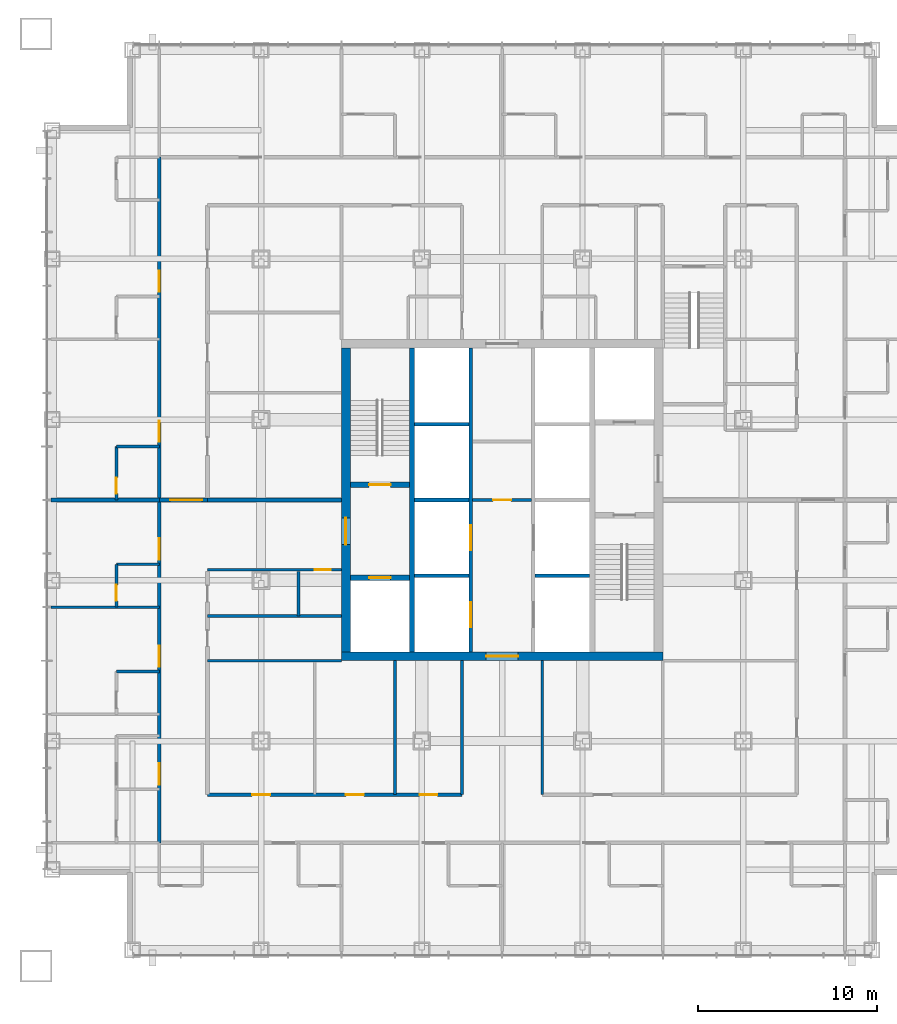
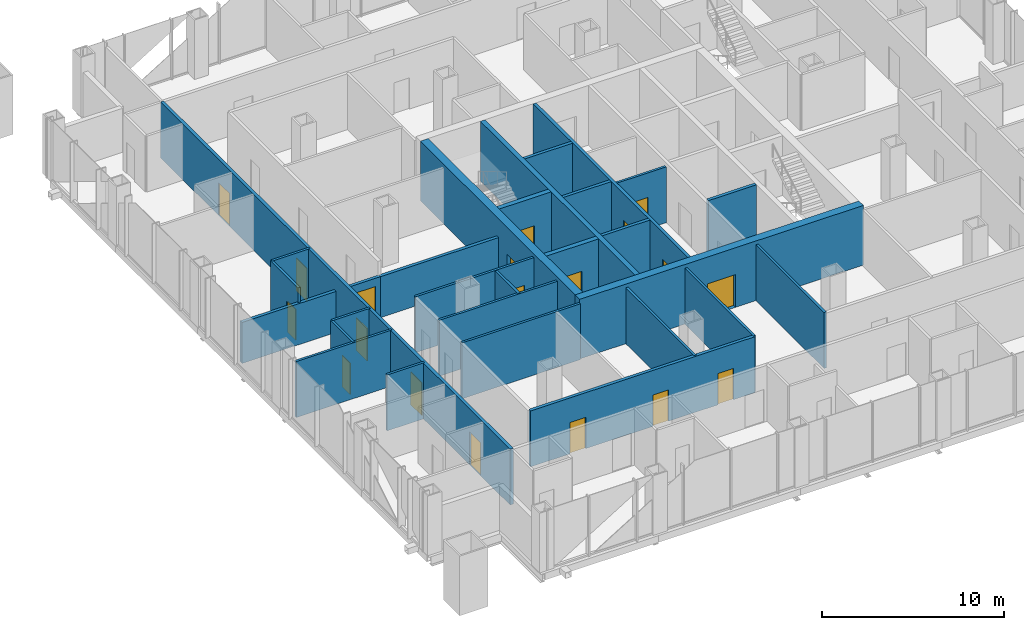
# One storey, part 8 of 13: 29 walls, 19 doors, 19 openings.
"""IFC4 building model written with IfcOpenShell, lengths in metres."""

from ifc_helpers import new_model, si_unit, direction, frame, frame_2d, origin, place, context, subcontext, project, spatial, rectangle, extrude, material, layer, layer_set, type_object, element, fill, save


model = new_model("IFC4")

# Units and contexts
model_context = context("Model", 3, precision=1e-05, world=origin(), true_north=direction((0.0, 1.0)))
body_context = subcontext(model_context, "Body", "Model", "MODEL_VIEW")
ifc_project = project(units=[si_unit("LENGTHUNIT", "METRE"), si_unit("AREAUNIT", "SQUARE_METRE"), si_unit("VOLUMEUNIT", "CUBIC_METRE"), si_unit("PLANEANGLEUNIT", "RADIAN"), si_unit("MASSUNIT", "GRAM", prefix="KILO")], contexts=[model_context])

# Site, building, storey
site_placement = place(None, origin())
site = spatial("IfcSite", under=ifc_project, at=site_placement, CompositionType="ELEMENT")
building_placement = place(site_placement, origin())
building = spatial("IfcBuilding", under=site, at=building_placement, Name="Malebo Sky Hospital", CompositionType="ELEMENT")
storey_placement = place(building_placement, frame((0.0, 0.0, 67.0)))
storey = spatial("IfcBuildingStorey", under=building, at=storey_placement, Name="L15", CompositionType="ELEMENT", Elevation=67.0)

# Wall, openings, doors
ifc_material_1 = material(Name="Concrete C80/95", Category="concrete")
ifc_layer_1 = layer(ifc_material_1, 0.199951171875)
ifc_layer_set_1 = layer_set([ifc_layer_1], Name="CORE INNER WALL 200")
wall_type_1 = type_object("IfcWallType", Name="CORE INNER WALL 200", PredefinedType="SHEAR", material=ifc_layer_set_1)
wall_1_placement = place(storey_placement, frame((58.25, 53.5, 0.0), z_axis=(0.0, 0.0, 1.0), x_axis=(0.0, 1.0, 0.0)))
wall_1 = element("IfcWall", 1, at=wall_1_placement, inside=storey, type_object=wall_type_1, Name="Core wall LW L15", PredefinedType="SHEAR", context=body_context, shape_type="SweptSolid", body=[
    extrude(rectangle(XDim=17.0, YDim=0.199951171875, at=frame_2d((8.5, 0.0))), origin(), (0.0, 0.0, 1.0), 4.0),
])
opening_1_placement = place(wall_1_placement, frame((1.375, 0.0, 0.0)))
opening_1 = element("IfcOpeningElement", 2, at=opening_1_placement, cuts=wall_1, Name="Opening LD1", PredefinedType="OPENING", context=body_context, shape_type="SweptSolid", body=[
    extrude(rectangle(XDim=1.39990234375, YDim=2.199951171875, at=frame_2d((0.699951171875, 1.10009765625))), frame((0.0, 0.10986328125, 0.0), z_axis=(0.0, -1.0, 0.0), x_axis=(1.0, 0.0, 0.0)), (0.0, 0.0, 1.0), 0.219970703125),
])
opening_2_placement = place(wall_1_placement, frame((5.675048828125, 0.0, 0.0)))
opening_2 = element("IfcOpeningElement", 3, at=opening_2_placement, cuts=wall_1, Name="Opening LD1", PredefinedType="OPENING", context=body_context, shape_type="SweptSolid", body=[
    extrude(rectangle(XDim=1.39990234375, YDim=2.199951171875, at=frame_2d((0.699951171875, 1.10009765625))), frame((0.0, 0.10986328125, 0.0), z_axis=(0.0, -1.0, 0.0), x_axis=(1.0, 0.0, 0.0)), (0.0, 0.0, 1.0), 0.219970703125),
])
ifc_material_2 = material(Name="Stainless steel sliding landing door", Category="steel")
door_type_1 = type_object("IfcDoorType", Name="LIFT LANDING DOOR 1400", OperationType="SLIDING_TO_LEFT", PredefinedType="DOOR", material=ifc_material_2)
door_1_placement = place(opening_1_placement, origin())
door_1 = element("IfcDoor", 4, at=door_1_placement, inside=storey, type_object=door_type_1, Name="Lift W1 landing door", OperationType="SLIDING_TO_LEFT", OverallHeight=2.199951171875, OverallWidth=1.39990234375, PredefinedType="DOOR", context=body_context, shape_type="SweptSolid", body=[
    extrude(rectangle(XDim=1.39990234375, YDim=2.199951171875, at=frame_2d((0.699951171875, 1.10009765625))), frame((0.0, 0.02490234375, 0.0), z_axis=(0.0, -1.0, 0.0), x_axis=(1.0, 0.0, 0.0)), (0.0, 0.0, 1.0), 0.050048828125),
])
fill(opening_1, door_1)
door_2_placement = place(opening_2_placement, origin())
door_2 = element("IfcDoor", 5, at=door_2_placement, inside=storey, type_object=door_type_1, Name="Lift W2 landing door", OperationType="SLIDING_TO_LEFT", OverallHeight=2.199951171875, OverallWidth=1.39990234375, PredefinedType="DOOR", context=body_context, shape_type="SweptSolid", body=[
    extrude(rectangle(XDim=1.39990234375, YDim=2.199951171875, at=frame_2d((0.699951171875, 1.10009765625))), frame((0.0, 0.02490234375, 0.0), z_axis=(0.0, -1.0, 0.0), x_axis=(1.0, 0.0, 0.0)), (0.0, 0.0, 1.0), 0.050048828125),
])
fill(opening_2, door_2)

# Walls
for number, where, z_axis, x_axis, name in (
    (6, (55.10009765625, 57.75, 0.0), (0.0, 0.0, 1.0), (1.0, 0.0, 0.0), "Core wall SW0 L15"),
    (7, (61.85009765625, 57.75, 0.0), (0.0, 0.0, 1.0), (1.0, 0.0, 0.0), "Core wall SE0 L15"),
    (8, (55.10009765625, 62.0, 0.0), (0.0, 0.0, 1.0), (1.0, 0.0, 0.0), "Core wall SW1 L15"),
    (9, (55.10009765625, 66.25, 0.0), (0.0, 0.0, 1.0), (1.0, 0.0, 0.0), "Core wall SW2 L15"),
):
    element("IfcWall", number, at=place(storey_placement, frame(where, z_axis=z_axis, x_axis=x_axis)), inside=storey, type_object=wall_type_1, Name=name, PredefinedType="SHEAR", context=body_context, shape_type="SweptSolid", body=[
        extrude(rectangle(XDim=3.0498046875, YDim=0.199951171875, at=frame_2d((1.52490234375, 0.0))), origin(), (0.0, 0.0, 1.0), 4.0),
    ])
ifc_layer_2 = layer(ifc_material_1, 0.300048828125)
ifc_layer_set_2 = layer_set([ifc_layer_2], Name="CORE INNER WALL 300")
wall_type_2 = type_object("IfcWallType", Name="CORE INNER WALL 300", PredefinedType="SHEAR", material=ifc_layer_set_2)
wall_2_placement = place(storey_placement, frame((54.949951171875, 53.5, 0.0), z_axis=(0.0, 0.0, 1.0), x_axis=(0.0, 1.0, 0.0)))
element("IfcWall", 10, at=wall_2_placement, inside=storey, type_object=wall_type_2, Name="Core wall XW L15", PredefinedType="SHEAR", context=body_context, shape_type="SweptSolid", body=[
    extrude(rectangle(XDim=17.0, YDim=0.300048828125, at=frame_2d((8.5, 0.0))), origin(), (0.0, 0.0, 1.0), 4.0),
])

# Wall, opening, door
wall_3_placement = place(storey_placement, frame((51.5, 62.85009765625, 0.0), z_axis=(0.0, 0.0, 1.0), x_axis=(1.0, 0.0, 0.0)))
wall_3 = element("IfcWall", 11, at=wall_3_placement, inside=storey, type_object=wall_type_2, Name="Core wall W1 L15", PredefinedType="SHEAR", context=body_context, shape_type="SweptSolid", body=[
    extrude(rectangle(XDim=3.300048828125, YDim=0.300048828125, at=frame_2d((1.64990234375, 0.0))), origin(), (0.0, 0.0, 1.0), 4.0),
])
opening_3_placement = place(wall_3_placement, frame((1.050048828125, 0.0, 0.0)))
opening_3 = element("IfcOpeningElement", 12, at=opening_3_placement, cuts=wall_3, Name="Opening D08", PredefinedType="OPENING", context=body_context, shape_type="SweptSolid", body=[
    extrude(rectangle(XDim=1.199951171875, YDim=2.10009765625, at=frame_2d((0.60009765625, 1.050048828125))), frame((0.0, 0.159912109375, 0.0), z_axis=(0.0, -1.0, 0.0), x_axis=(1.0, 0.0, 0.0)), (0.0, 0.0, 1.0), 0.320068359375),
])
ifc_material_3 = material(Name="Hardwood-faced door leaf in steel frame", Category="steel")
door_type_2 = type_object("IfcDoorType", Name="STAIR DOOR 1200", OperationType="SINGLE_SWING_LEFT", PredefinedType="DOOR", material=ifc_material_3)
door_3_placement = place(opening_3_placement, origin())
door_3 = element("IfcDoor", 13, at=door_3_placement, inside=storey, type_object=door_type_2, Name="Stair S1 door", OperationType="SINGLE_SWING_LEFT", OverallHeight=2.10009765625, OverallWidth=1.199951171875, PredefinedType="DOOR", context=body_context, shape_type="SweptSolid", body=[
    extrude(rectangle(XDim=1.199951171875, YDim=2.10009765625, at=frame_2d((0.60009765625, 1.050048828125))), frame((0.0, 0.02490234375, 0.0), z_axis=(0.0, -1.0, 0.0), x_axis=(1.0, 0.0, 0.0)), (0.0, 0.0, 1.0), 0.050048828125),
])
fill(opening_3, door_3)

wall_4_placement = place(storey_placement, frame((51.5, 57.64990234375, 0.0), z_axis=(0.0, 0.0, 1.0), x_axis=(1.0, 0.0, 0.0)))
wall_4 = element("IfcWall", 14, at=wall_4_placement, inside=storey, type_object=wall_type_2, Name="Core wall W2 L15", PredefinedType="SHEAR", context=body_context, shape_type="SweptSolid", body=[
    extrude(rectangle(XDim=3.300048828125, YDim=0.300048828125, at=frame_2d((1.64990234375, 0.0))), origin(), (0.0, 0.0, 1.0), 4.0),
])
opening_4_placement = place(wall_4_placement, frame((1.050048828125, 0.0, 0.0)))
opening_4 = element("IfcOpeningElement", 15, at=opening_4_placement, cuts=wall_4, Name="Opening LD2", PredefinedType="OPENING", context=body_context, shape_type="SweptSolid", body=[
    extrude(rectangle(XDim=1.199951171875, YDim=2.199951171875, at=frame_2d((0.60009765625, 1.10009765625))), frame((0.0, 0.159912109375, 0.0), z_axis=(0.0, -1.0, 0.0), x_axis=(1.0, 0.0, 0.0)), (0.0, 0.0, 1.0), 0.320068359375),
])
door_type_3 = type_object("IfcDoorType", Name="FIRE-FIGHTING LIFT LANDING DOOR 1200", OperationType="SLIDING_TO_LEFT", PredefinedType="DOOR", material=ifc_material_2)
door_4_placement = place(opening_4_placement, origin())
door_4 = element("IfcDoor", 16, at=door_4_placement, inside=storey, type_object=door_type_3, Name="Lift FL1 landing door", OperationType="SLIDING_TO_LEFT", OverallHeight=2.199951171875, OverallWidth=1.199951171875, PredefinedType="DOOR", context=body_context, shape_type="SweptSolid", body=[
    extrude(rectangle(XDim=1.199951171875, YDim=2.199951171875, at=frame_2d((0.60009765625, 1.10009765625))), frame((0.0, 0.02490234375, 0.0), z_axis=(0.0, -1.0, 0.0), x_axis=(1.0, 0.0, 0.0)), (0.0, 0.0, 1.0), 0.050048828125),
])
fill(opening_4, door_4)

ifc_layer_3 = layer(ifc_material_1, 0.5)
ifc_layer_set_3 = layer_set([ifc_layer_3], Name="CORE WALL 500")
wall_type_3 = type_object("IfcWallType", Name="CORE WALL 500", PredefinedType="SHEAR", material=ifc_layer_set_3)
wall_5_placement = place(storey_placement, frame((51.0, 53.25, 0.0), z_axis=(0.0, 0.0, 1.0), x_axis=(1.0, 0.0, 0.0)))
wall_5 = element("IfcWall", 17, at=wall_5_placement, inside=storey, type_object=wall_type_3, Name="Core wall S L15", PredefinedType="SHEAR", context=body_context, shape_type="SweptSolid", body=[
    extrude(rectangle(XDim=18.0, YDim=0.5, at=frame_2d((9.0, 0.0))), origin(), (0.0, 0.0, 1.0), 4.0),
])
opening_5_placement = place(wall_5_placement, frame((8.10009765625, 0.0, 0.0)))
opening_5 = element("IfcOpeningElement", 18, at=opening_5_placement, cuts=wall_5, Name="Opening D06", PredefinedType="OPENING", context=body_context, shape_type="SweptSolid", body=[
    extrude(rectangle(XDim=1.800048828125, YDim=2.199951171875, at=frame_2d((0.89990234375, 1.10009765625))), frame((0.0, 0.260009765625, 0.0), z_axis=(0.0, -1.0, 0.0), x_axis=(1.0, 0.0, 0.0)), (0.0, 0.0, 1.0), 0.52001953125),
])
door_type_4 = type_object("IfcDoorType", Name="LOBBY DOOR PAIR 1800", OperationType="DOUBLE_DOOR_SINGLE_SWING", PredefinedType="DOOR", material=ifc_material_3)
door_5_placement = place(opening_5_placement, origin())
door_5 = element("IfcDoor", 19, at=door_5_placement, inside=storey, type_object=door_type_4, Name="Lift lobby door south", OperationType="DOUBLE_DOOR_SINGLE_SWING", OverallHeight=2.199951171875, OverallWidth=1.800048828125, PredefinedType="DOOR", context=body_context, shape_type="SweptSolid", body=[
    extrude(rectangle(XDim=1.800048828125, YDim=2.199951171875, at=frame_2d((0.89990234375, 1.10009765625))), frame((0.0, 0.02490234375, 0.0), z_axis=(0.0, -1.0, 0.0), x_axis=(1.0, 0.0, 0.0)), (0.0, 0.0, 1.0), 0.050048828125),
])
fill(opening_5, door_5)

wall_6_placement = place(storey_placement, frame((51.25, 53.5, 0.0), z_axis=(0.0, 0.0, 1.0), x_axis=(0.0, 1.0, 0.0)))
wall_6 = element("IfcWall", 20, at=wall_6_placement, inside=storey, type_object=wall_type_3, Name="Core wall W L15", PredefinedType="SHEAR", context=body_context, shape_type="SweptSolid", body=[
    extrude(rectangle(XDim=17.0, YDim=0.5, at=frame_2d((8.5, 0.0))), origin(), (0.0, 0.0, 1.0), 4.0),
])
opening_6_placement = place(wall_6_placement, frame((6.0, 0.0, 0.0)))
opening_6 = element("IfcOpeningElement", 21, at=opening_6_placement, cuts=wall_6, Name="Opening D07", PredefinedType="OPENING", context=body_context, shape_type="SweptSolid", body=[
    extrude(rectangle(XDim=1.5, YDim=2.199951171875, at=frame_2d((0.75, 1.10009765625))), frame((0.0, 0.260009765625, 0.0), z_axis=(0.0, -1.0, 0.0), x_axis=(1.0, 0.0, 0.0)), (0.0, 0.0, 1.0), 0.52001953125),
])
door_type_5 = type_object("IfcDoorType", Name="FIRE-FIGHTING LOBBY DOOR PAIR 1500", OperationType="DOUBLE_DOOR_SINGLE_SWING", PredefinedType="DOOR", material=ifc_material_3)
door_6_placement = place(opening_6_placement, origin())
door_6 = element("IfcDoor", 22, at=door_6_placement, inside=storey, type_object=door_type_5, Name="Fire-fighting lobby door west", OperationType="DOUBLE_DOOR_SINGLE_SWING", OverallHeight=2.199951171875, OverallWidth=1.5, PredefinedType="DOOR", context=body_context, shape_type="SweptSolid", body=[
    extrude(rectangle(XDim=1.5, YDim=2.199951171875, at=frame_2d((0.75, 1.10009765625))), frame((0.0, 0.02490234375, 0.0), z_axis=(0.0, -1.0, 0.0), x_axis=(1.0, 0.0, 0.0)), (0.0, 0.0, 1.0), 0.050048828125),
])
fill(opening_6, door_6)

# Wall, openings, doors
ifc_material_4 = material(Name="Gypsum board on steel studs", Category="steel")
ifc_layer_4 = layer(ifc_material_4, 0.199951171875)
ifc_layer_set_4 = layer_set([ifc_layer_4], Name="CORRIDOR WALL 200")
wall_type_4 = type_object("IfcWallType", Name="CORRIDOR WALL 200", PredefinedType="PARTITIONING", material=ifc_layer_set_4)
wall_7_placement = place(storey_placement, frame((40.800048828125, 42.800048828125, 0.0), z_axis=(0.0, 0.0, 1.0), x_axis=(0.0, 1.0, 0.0)))
wall_7 = element("IfcWall", 23, at=wall_7_placement, inside=storey, type_object=wall_type_4, Name="Corridor Wall 200 WCO", PredefinedType="PARTITIONING", context=body_context, shape_type="SweptSolid", body=[
    extrude(rectangle(XDim=38.39990234375, YDim=0.199951171875, at=frame_2d((19.199951171875, 0.0))), origin(), (0.0, 0.0, 1.0), 3.75),
])
opening_7_placement = place(wall_7_placement, frame((3.25, 0.0, 0.0)))
opening_7 = element("IfcOpeningElement", 24, at=opening_7_placement, cuts=wall_7, Name="Opening D18", PredefinedType="OPENING", context=body_context, shape_type="SweptSolid", body=[
    extrude(rectangle(XDim=1.199951171875, YDim=2.199951171875, at=frame_2d((0.60009765625, 1.10009765625))), frame((0.0, 0.10986328125, 0.0), z_axis=(0.0, -1.0, 0.0), x_axis=(1.0, 0.0, 0.0)), (0.0, 0.0, 1.0), 0.219970703125),
])
opening_8_placement = place(wall_7_placement, frame((9.85009765625, 0.0, 0.0)))
opening_8 = element("IfcOpeningElement", 25, at=opening_8_placement, cuts=wall_7, Name="Opening D01", PredefinedType="OPENING", context=body_context, shape_type="SweptSolid", body=[
    extrude(rectangle(XDim=1.199951171875, YDim=2.199951171875, at=frame_2d((0.60009765625, 1.10009765625))), frame((0.0, 0.10986328125, 0.0), z_axis=(0.0, -1.0, 0.0), x_axis=(1.0, 0.0, 0.0)), (0.0, 0.0, 1.0), 0.219970703125),
])
opening_9_placement = place(wall_7_placement, frame((15.85009765625, 0.0, 0.0)))
opening_9 = element("IfcOpeningElement", 26, at=opening_9_placement, cuts=wall_7, Name="Opening D01", PredefinedType="OPENING", context=body_context, shape_type="SweptSolid", body=[
    extrude(rectangle(XDim=1.199951171875, YDim=2.199951171875, at=frame_2d((0.60009765625, 1.10009765625))), frame((0.0, 0.10986328125, 0.0), z_axis=(0.0, -1.0, 0.0), x_axis=(1.0, 0.0, 0.0)), (0.0, 0.0, 1.0), 0.219970703125),
])
opening_10_placement = place(wall_7_placement, frame((22.449951171875, 0.0, 0.0)))
opening_10 = element("IfcOpeningElement", 27, at=opening_10_placement, cuts=wall_7, Name="Opening D01", PredefinedType="OPENING", context=body_context, shape_type="SweptSolid", body=[
    extrude(rectangle(XDim=1.199951171875, YDim=2.199951171875, at=frame_2d((0.60009765625, 1.10009765625))), frame((0.0, 0.10986328125, 0.0), z_axis=(0.0, -1.0, 0.0), x_axis=(1.0, 0.0, 0.0)), (0.0, 0.0, 1.0), 0.219970703125),
])
opening_11_placement = place(wall_7_placement, frame((30.85009765625, 0.0, 0.0)))
opening_11 = element("IfcOpeningElement", 28, at=opening_11_placement, cuts=wall_7, Name="Opening D01", PredefinedType="OPENING", context=body_context, shape_type="SweptSolid", body=[
    extrude(rectangle(XDim=1.199951171875, YDim=2.199951171875, at=frame_2d((0.60009765625, 1.10009765625))), frame((0.0, 0.10986328125, 0.0), z_axis=(0.0, -1.0, 0.0), x_axis=(1.0, 0.0, 0.0)), (0.0, 0.0, 1.0), 0.219970703125),
])
door_type_6 = type_object("IfcDoorType", Name="ANTEROOM DOOR 1200", OperationType="SINGLE_SWING_LEFT", PredefinedType="DOOR", material=ifc_material_3)
door_7_placement = place(opening_7_placement, origin())
door_7 = element("IfcDoor", 29, at=door_7_placement, inside=storey, type_object=door_type_6, Name="Anteroom door", OperationType="SINGLE_SWING_LEFT", OverallHeight=2.199951171875, OverallWidth=1.199951171875, PredefinedType="DOOR", context=body_context, shape_type="SweptSolid", body=[
    extrude(rectangle(XDim=1.199951171875, YDim=2.199951171875, at=frame_2d((0.60009765625, 1.10009765625))), frame((0.0, 0.02490234375, 0.0), z_axis=(0.0, -1.0, 0.0), x_axis=(1.0, 0.0, 0.0)), (0.0, 0.0, 1.0), 0.050048828125),
])
fill(opening_7, door_7)
door_type_7 = type_object("IfcDoorType", Name="BED DOOR 1200", OperationType="SINGLE_SWING_LEFT", PredefinedType="DOOR", material=ifc_material_3)
door_8_placement = place(opening_8_placement, origin())
door_8 = element("IfcDoor", 30, at=door_8_placement, inside=storey, type_object=door_type_7, Name="Single bed room door", OperationType="SINGLE_SWING_LEFT", OverallHeight=2.199951171875, OverallWidth=1.199951171875, PredefinedType="DOOR", context=body_context, shape_type="SweptSolid", body=[
    extrude(rectangle(XDim=1.199951171875, YDim=2.199951171875, at=frame_2d((0.60009765625, 1.10009765625))), frame((0.0, 0.02490234375, 0.0), z_axis=(0.0, -1.0, 0.0), x_axis=(1.0, 0.0, 0.0)), (0.0, 0.0, 1.0), 0.050048828125),
])
fill(opening_8, door_8)
door_9_placement = place(opening_9_placement, origin())
door_9 = element("IfcDoor", 31, at=door_9_placement, inside=storey, type_object=door_type_7, Name="Single bed room door", OperationType="SINGLE_SWING_LEFT", OverallHeight=2.199951171875, OverallWidth=1.199951171875, PredefinedType="DOOR", context=body_context, shape_type="SweptSolid", body=[
    extrude(rectangle(XDim=1.199951171875, YDim=2.199951171875, at=frame_2d((0.60009765625, 1.10009765625))), frame((0.0, 0.02490234375, 0.0), z_axis=(0.0, -1.0, 0.0), x_axis=(1.0, 0.0, 0.0)), (0.0, 0.0, 1.0), 0.050048828125),
])
fill(opening_9, door_9)
door_10_placement = place(opening_10_placement, origin())
door_10 = element("IfcDoor", 32, at=door_10_placement, inside=storey, type_object=door_type_7, Name="Two-bed room door", OperationType="SINGLE_SWING_LEFT", OverallHeight=2.199951171875, OverallWidth=1.199951171875, PredefinedType="DOOR", context=body_context, shape_type="SweptSolid", body=[
    extrude(rectangle(XDim=1.199951171875, YDim=2.199951171875, at=frame_2d((0.60009765625, 1.10009765625))), frame((0.0, 0.02490234375, 0.0), z_axis=(0.0, -1.0, 0.0), x_axis=(1.0, 0.0, 0.0)), (0.0, 0.0, 1.0), 0.050048828125),
])
fill(opening_10, door_10)
door_11_placement = place(opening_11_placement, origin())
door_11 = element("IfcDoor", 33, at=door_11_placement, inside=storey, type_object=door_type_7, Name="Four-bed bay door", OperationType="SINGLE_SWING_LEFT", OverallHeight=2.199951171875, OverallWidth=1.199951171875, PredefinedType="DOOR", context=body_context, shape_type="SweptSolid", body=[
    extrude(rectangle(XDim=1.199951171875, YDim=2.199951171875, at=frame_2d((0.60009765625, 1.10009765625))), frame((0.0, 0.02490234375, 0.0), z_axis=(0.0, -1.0, 0.0), x_axis=(1.0, 0.0, 0.0)), (0.0, 0.0, 1.0), 0.050048828125),
])
fill(opening_11, door_11)

wall_8_placement = place(storey_placement, frame((57.75, 45.5, 0.0), z_axis=(0.0, 0.0, 1.0), x_axis=(-1.0, 0.0, 0.0)))
wall_8 = element("IfcWall", 34, at=wall_8_placement, inside=storey, type_object=wall_type_4, Name="Corridor Wall 200 SCI2", PredefinedType="PARTITIONING", context=body_context, shape_type="SweptSolid", body=[
    extrude(rectangle(XDim=14.25, YDim=0.199951171875, at=frame_2d((7.125, 0.0))), origin(), (0.0, 0.0, 1.0), 3.75),
])
opening_12_placement = place(wall_8_placement, frame((1.375, 0.0, 0.0)))
opening_12 = element("IfcOpeningElement", 35, at=opening_12_placement, cuts=wall_8, Name="Opening D03", PredefinedType="OPENING", context=body_context, shape_type="SweptSolid", body=[
    extrude(rectangle(XDim=1.0, YDim=2.10009765625, at=frame_2d((0.5, 1.050048828125))), frame((0.0, 0.10986328125, 0.0), z_axis=(0.0, -1.0, 0.0), x_axis=(1.0, 0.0, 0.0)), (0.0, 0.0, 1.0), 0.219970703125),
])
opening_13_placement = place(wall_8_placement, frame((5.5, 0.0, 0.0)))
opening_13 = element("IfcOpeningElement", 36, at=opening_13_placement, cuts=wall_8, Name="Opening D03", PredefinedType="OPENING", context=body_context, shape_type="SweptSolid", body=[
    extrude(rectangle(XDim=1.0, YDim=2.10009765625, at=frame_2d((0.5, 1.050048828125))), frame((0.0, 0.10986328125, 0.0), z_axis=(0.0, -1.0, 0.0), x_axis=(1.0, 0.0, 0.0)), (0.0, 0.0, 1.0), 0.219970703125),
])
opening_14_placement = place(wall_8_placement, frame((10.75, 0.0, 0.0)))
opening_14 = element("IfcOpeningElement", 37, at=opening_14_placement, cuts=wall_8, Name="Opening D03", PredefinedType="OPENING", context=body_context, shape_type="SweptSolid", body=[
    extrude(rectangle(XDim=1.0, YDim=2.10009765625, at=frame_2d((0.5, 1.050048828125))), frame((0.0, 0.10986328125, 0.0), z_axis=(0.0, -1.0, 0.0), x_axis=(1.0, 0.0, 0.0)), (0.0, 0.0, 1.0), 0.219970703125),
])
door_type_8 = type_object("IfcDoorType", Name="ROOM DOOR 1000", OperationType="SINGLE_SWING_LEFT", PredefinedType="DOOR", material=ifc_material_3)
door_12_placement = place(opening_12_placement, origin())
door_12 = element("IfcDoor", 38, at=door_12_placement, inside=storey, type_object=door_type_8, Name="Dirty utility room door", OperationType="SINGLE_SWING_LEFT", OverallHeight=2.10009765625, OverallWidth=1.0, PredefinedType="DOOR", context=body_context, shape_type="SweptSolid", body=[
    extrude(rectangle(XDim=1.0, YDim=2.10009765625, at=frame_2d((0.5, 1.050048828125))), frame((0.0, 0.02490234375, 0.0), z_axis=(0.0, -1.0, 0.0), x_axis=(1.0, 0.0, 0.0)), (0.0, 0.0, 1.0), 0.050048828125),
])
fill(opening_12, door_12)
door_13_placement = place(opening_13_placement, origin())
door_13 = element("IfcDoor", 39, at=door_13_placement, inside=storey, type_object=door_type_8, Name="Traction equipment store door", OperationType="SINGLE_SWING_LEFT", OverallHeight=2.10009765625, OverallWidth=1.0, PredefinedType="DOOR", context=body_context, shape_type="SweptSolid", body=[
    extrude(rectangle(XDim=1.0, YDim=2.10009765625, at=frame_2d((0.5, 1.050048828125))), frame((0.0, 0.02490234375, 0.0), z_axis=(0.0, -1.0, 0.0), x_axis=(1.0, 0.0, 0.0)), (0.0, 0.0, 1.0), 0.050048828125),
])
fill(opening_13, door_13)
door_14_placement = place(opening_14_placement, origin())
door_14 = element("IfcDoor", 40, at=door_14_placement, inside=storey, type_object=door_type_8, Name="Staff base door", OperationType="SINGLE_SWING_RIGHT", OverallHeight=2.10009765625, OverallWidth=1.0, PredefinedType="DOOR", context=body_context, shape_type="SweptSolid", body=[
    extrude(rectangle(XDim=1.0, YDim=2.10009765625, at=frame_2d((0.5, 1.050048828125))), frame((0.0, 0.02490234375, 0.0), z_axis=(0.0, -1.0, 0.0), x_axis=(1.0, 0.0, 0.0)), (0.0, 0.0, 1.0), 0.050048828125),
])
fill(opening_14, door_14)

# Walls
ifc_layer_5 = layer(ifc_material_4, 0.14990234375)
ifc_layer_set_5 = layer_set([ifc_layer_5], Name="PARTITION 150")
wall_type_5 = type_object("IfcWallType", Name="PARTITION 150", PredefinedType="PARTITIONING", material=ifc_layer_set_5)
wall_9_placement = place(storey_placement, frame((40.800048828125, 56.0, 0.0), z_axis=(0.0, 0.0, 1.0), x_axis=(-1.0, 0.0, 0.0)))
element("IfcWall", 41, at=wall_9_placement, inside=storey, type_object=wall_type_5, Name="Partition 150 WP-6.0", PredefinedType="PARTITIONING", context=body_context, shape_type="SweptSolid", body=[
    extrude(rectangle(XDim=6.074951171875, YDim=0.14990234375, at=frame_2d((3.03759765625, 0.0))), origin(), (0.0, 0.0, 1.0), 3.75),
])
wall_10_placement = place(storey_placement, frame((40.800048828125, 52.39990234375, 0.0), z_axis=(0.0, 0.0, 1.0), x_axis=(-1.0, 0.0, 0.0)))
element("IfcWall", 42, at=wall_10_placement, inside=storey, type_object=wall_type_5, Name="Partition 150 WE1S", PredefinedType="PARTITIONING", context=body_context, shape_type="SweptSolid", body=[
    extrude(rectangle(XDim=2.400146484375, YDim=0.14990234375, at=frame_2d((1.2001953125, 0.0))), origin(), (0.0, 0.0, 1.0), 3.75),
])

# Wall, opening, door
wall_11_placement = place(storey_placement, frame((38.39990234375, 56.0, 0.0), z_axis=(0.0, 0.0, 1.0), x_axis=(0.0, 1.0, 0.0)))
wall_11 = element("IfcWall", 43, at=wall_11_placement, inside=storey, type_object=wall_type_5, Name="Partition 150 WE2F", PredefinedType="PARTITIONING", context=body_context, shape_type="SweptSolid", body=[
    extrude(rectangle(XDim=2.39990234375, YDim=0.14990234375, at=frame_2d((1.199951171875, 0.0))), origin(), (0.0, 0.0, 1.0), 3.75),
])
opening_15_placement = place(wall_11_placement, frame((0.35009765625, 0.0, 0.0)))
opening_15 = element("IfcOpeningElement", 44, at=opening_15_placement, cuts=wall_11, Name="Opening D02", PredefinedType="OPENING", context=body_context, shape_type="SweptSolid", body=[
    extrude(rectangle(XDim=0.89990234375, YDim=2.10009765625, at=frame_2d((0.449951171875, 1.050048828125))), frame((0.0, 0.0849609375, 0.0), z_axis=(0.0, -1.0, 0.0), x_axis=(1.0, 0.0, 0.0)), (0.0, 0.0, 1.0), 0.169921875),
])
door_type_9 = type_object("IfcDoorType", Name="EN-SUITE DOOR 900", OperationType="SINGLE_SWING_LEFT", PredefinedType="DOOR", material=ifc_material_3)
door_15_placement = place(opening_15_placement, origin())
door_15 = element("IfcDoor", 45, at=door_15_placement, inside=storey, type_object=door_type_9, Name="En-suite door", OperationType="SINGLE_SWING_LEFT", OverallHeight=2.10009765625, OverallWidth=0.89990234375, PredefinedType="DOOR", context=body_context, shape_type="SweptSolid", body=[
    extrude(rectangle(XDim=0.89990234375, YDim=2.10009765625, at=frame_2d((0.449951171875, 1.050048828125))), frame((0.0, 0.02490234375, 0.0), z_axis=(0.0, -1.0, 0.0), x_axis=(1.0, 0.0, 0.0)), (0.0, 0.0, 1.0), 0.050048828125),
])
fill(opening_15, door_15)

# Wall
wall_12_placement = place(storey_placement, frame((40.800048828125, 58.39990234375, 0.0), z_axis=(0.0, 0.0, 1.0), x_axis=(-1.0, 0.0, 0.0)))
element("IfcWall", 46, at=wall_12_placement, inside=storey, type_object=wall_type_5, Name="Partition 150 WE2S", PredefinedType="PARTITIONING", context=body_context, shape_type="SweptSolid", body=[
    extrude(rectangle(XDim=2.400146484375, YDim=0.14990234375, at=frame_2d((1.2001953125, 0.0))), origin(), (0.0, 0.0, 1.0), 3.75),
])

# Wall, opening, door
wall_13_placement = place(storey_placement, frame((38.39990234375, 62.0, 0.0), z_axis=(0.0, 0.0, 1.0), x_axis=(0.0, 1.0, 0.0)))
wall_13 = element("IfcWall", 47, at=wall_13_placement, inside=storey, type_object=wall_type_5, Name="Partition 150 WE3F", PredefinedType="PARTITIONING", context=body_context, shape_type="SweptSolid", body=[
    extrude(rectangle(XDim=3.0, YDim=0.14990234375, at=frame_2d((1.5, 0.0))), origin(), (0.0, 0.0, 1.0), 3.75),
])
opening_16_placement = place(wall_13_placement, frame((0.35009765625, 0.0, 0.0)))
opening_16 = element("IfcOpeningElement", 48, at=opening_16_placement, cuts=wall_13, Name="Opening D02", PredefinedType="OPENING", context=body_context, shape_type="SweptSolid", body=[
    extrude(rectangle(XDim=0.89990234375, YDim=2.10009765625, at=frame_2d((0.449951171875, 1.050048828125))), frame((0.0, 0.0849609375, 0.0), z_axis=(0.0, -1.0, 0.0), x_axis=(1.0, 0.0, 0.0)), (0.0, 0.0, 1.0), 0.169921875),
])
door_16_placement = place(opening_16_placement, origin())
door_16 = element("IfcDoor", 49, at=door_16_placement, inside=storey, type_object=door_type_9, Name="En-suite door", OperationType="SINGLE_SWING_LEFT", OverallHeight=2.10009765625, OverallWidth=0.89990234375, PredefinedType="DOOR", context=body_context, shape_type="SweptSolid", body=[
    extrude(rectangle(XDim=0.89990234375, YDim=2.10009765625, at=frame_2d((0.449951171875, 1.050048828125))), frame((0.0, 0.02490234375, 0.0), z_axis=(0.0, -1.0, 0.0), x_axis=(1.0, 0.0, 0.0)), (0.0, 0.0, 1.0), 0.050048828125),
])
fill(opening_16, door_16)

# Walls
wall_14_placement = place(storey_placement, frame((40.800048828125, 65.0, 0.0), z_axis=(0.0, 0.0, 1.0), x_axis=(-1.0, 0.0, 0.0)))
element("IfcWall", 50, at=wall_14_placement, inside=storey, type_object=wall_type_5, Name="Partition 150 WE3S", PredefinedType="PARTITIONING", context=body_context, shape_type="SweptSolid", body=[
    extrude(rectangle(XDim=2.400146484375, YDim=0.14990234375, at=frame_2d((1.2001953125, 0.0))), origin(), (0.0, 0.0, 1.0), 3.75),
])
wall_15_placement = place(storey_placement, frame((51.0, 53.0, 0.0), z_axis=(0.0, 0.0, 1.0), x_axis=(-1.0, 0.0, 0.0)))
element("IfcWall", 51, at=wall_15_placement, inside=storey, type_object=wall_type_5, Name="Partition 150 WSP0", PredefinedType="PARTITIONING", context=body_context, shape_type="SweptSolid", body=[
    extrude(rectangle(XDim=7.5, YDim=0.14990234375, at=frame_2d((3.75, 0.0))), origin(), (0.0, 0.0, 1.0), 3.75),
])

# Wall, opening, door
wall_16_placement = place(storey_placement, frame((51.0, 58.10009765625, 0.0), z_axis=(0.0, 0.0, 1.0), x_axis=(-1.0, 0.0, 0.0)))
wall_16 = element("IfcWall", 52, at=wall_16_placement, inside=storey, type_object=wall_type_5, Name="Partition 150 WSPA", PredefinedType="PARTITIONING", context=body_context, shape_type="SweptSolid", body=[
    extrude(rectangle(XDim=7.5, YDim=0.14990234375, at=frame_2d((3.75, 0.0))), origin(), (0.0, 0.0, 1.0), 3.75),
])
opening_17_placement = place(wall_16_placement, frame((0.60009765625, 0.0, 0.0)))
opening_17 = element("IfcOpeningElement", 53, at=opening_17_placement, cuts=wall_16, Name="Opening D04", PredefinedType="OPENING", context=body_context, shape_type="SweptSolid", body=[
    extrude(rectangle(XDim=0.89990234375, YDim=2.10009765625, at=frame_2d((0.449951171875, 1.050048828125))), frame((0.0, 0.0849609375, 0.0), z_axis=(0.0, -1.0, 0.0), x_axis=(1.0, 0.0, 0.0)), (0.0, 0.0, 1.0), 0.169921875),
])
door_type_10 = type_object("IfcDoorType", Name="ROOM DOOR 900", OperationType="SINGLE_SWING_LEFT", PredefinedType="DOOR", material=ifc_material_3)
door_17_placement = place(opening_17_placement, origin())
door_17 = element("IfcDoor", 54, at=door_17_placement, inside=storey, type_object=door_type_10, Name="Cleaner's room door", OperationType="SINGLE_SWING_LEFT", OverallHeight=2.10009765625, OverallWidth=0.89990234375, PredefinedType="DOOR", context=body_context, shape_type="SweptSolid", body=[
    extrude(rectangle(XDim=0.89990234375, YDim=2.10009765625, at=frame_2d((0.449951171875, 1.050048828125))), frame((0.0, 0.02490234375, 0.0), z_axis=(0.0, -1.0, 0.0), x_axis=(1.0, 0.0, 0.0)), (0.0, 0.0, 1.0), 0.050048828125),
])
fill(opening_17, door_17)

# Walls
wall_17_placement = place(storey_placement, frame((51.0, 55.5, 0.0), z_axis=(0.0, 0.0, 1.0), x_axis=(-1.0, 0.0, 0.0)))
element("IfcWall", 55, at=wall_17_placement, inside=storey, type_object=wall_type_5, Name="Partition 150 WSP-6.5", PredefinedType="PARTITIONING", context=body_context, shape_type="SweptSolid", body=[
    extrude(rectangle(XDim=7.5, YDim=0.14990234375, at=frame_2d((3.75, 0.0))), origin(), (0.0, 0.0, 1.0), 3.75),
])
wall_18_placement = place(storey_placement, frame((48.60009765625, 55.5, 0.0), z_axis=(0.0, 0.0, 1.0), x_axis=(0.0, 1.0, 0.0)))
element("IfcWall", 56, at=wall_18_placement, inside=storey, type_object=wall_type_5, Name="Partition 150 WSX1", PredefinedType="PARTITIONING", context=body_context, shape_type="SweptSolid", body=[
    extrude(rectangle(XDim=2.5, YDim=0.14990234375, at=frame_2d((1.25, 0.0))), origin(), (0.0, 0.0, 1.0), 3.75),
])
for number, where, z_axis, x_axis, name in (
    (57, (62.25, 53.0, 0.0), (0.0, 0.0, 1.0), (0.0, -1.0, 0.0), "Partition 150 SSPA"),
    (58, (57.75, 53.0, 0.0), (0.0, 0.0, 1.0), (0.0, -1.0, 0.0), "Partition 150 SSPB"),
    (59, (54.0, 53.0, 0.0), (0.0, 0.0, 1.0), (0.0, -1.0, 0.0), "Partition 150 SSP+6.0"),
):
    element("IfcWall", number, at=place(storey_placement, frame(where, z_axis=z_axis, x_axis=x_axis)), inside=storey, type_object=wall_type_5, Name=name, PredefinedType="PARTITIONING", context=body_context, shape_type="SweptSolid", body=[
        extrude(rectangle(XDim=7.5, YDim=0.14990234375, at=frame_2d((3.75, 0.0))), origin(), (0.0, 0.0, 1.0), 3.75),
    ])

# Wall, opening, door
wall_19_placement = place(storey_placement, frame((58.35009765625, 62.0, 0.0), z_axis=(0.0, 0.0, 1.0), x_axis=(1.0, 0.0, 0.0)))
wall_19 = element("IfcWall", 60, at=wall_19_placement, inside=storey, type_object=wall_type_5, Name="Partition 150 LBN", PredefinedType="PARTITIONING", context=body_context, shape_type="SweptSolid", body=[
    extrude(rectangle(XDim=3.2998046875, YDim=0.14990234375, at=frame_2d((1.64990234375, 0.0))), origin(), (0.0, 0.0, 1.0), 3.75),
])
opening_18_placement = place(wall_19_placement, frame((1.14990234375, 0.0, 0.0)))
opening_18 = element("IfcOpeningElement", 61, at=opening_18_placement, cuts=wall_19, Name="Opening D03", PredefinedType="OPENING", context=body_context, shape_type="SweptSolid", body=[
    extrude(rectangle(XDim=1.0, YDim=2.10009765625, at=frame_2d((0.5, 1.050048828125))), frame((0.0, 0.0849609375, 0.0), z_axis=(0.0, -1.0, 0.0), x_axis=(1.0, 0.0, 0.0)), (0.0, 0.0, 1.0), 0.169921875),
])
door_18_placement = place(opening_18_placement, origin())
door_18 = element("IfcDoor", 62, at=door_18_placement, inside=storey, type_object=door_type_8, Name="Equipment store door", OperationType="SINGLE_SWING_LEFT", OverallHeight=2.10009765625, OverallWidth=1.0, PredefinedType="DOOR", context=body_context, shape_type="SweptSolid", body=[
    extrude(rectangle(XDim=1.0, YDim=2.10009765625, at=frame_2d((0.5, 1.050048828125))), frame((0.0, 0.02490234375, 0.0), z_axis=(0.0, -1.0, 0.0), x_axis=(1.0, 0.0, 0.0)), (0.0, 0.0, 1.0), 0.050048828125),
])
fill(opening_18, door_18)

# Walls
ifc_material_5 = material(Name="Concrete blockwork", Category="masonry")
ifc_layer_6 = layer(ifc_material_5, 0.199951171875)
ifc_layer_set_6 = layer_set([ifc_layer_6], Name="SMOKE BARRIER WALL 200")
wall_type_6 = type_object("IfcWallType", Name="SMOKE BARRIER WALL 200", PredefinedType="SOLIDWALL", material=ifc_layer_set_6)
wall_20_placement = place(storey_placement, frame((40.800048828125, 62.0, 0.0), z_axis=(0.0, 0.0, 1.0), x_axis=(-1.0, 0.0, 0.0)))
element("IfcWall", 63, at=wall_20_placement, inside=storey, type_object=wall_type_6, Name="Smoke Barrier Wall 200 WP+0.0", PredefinedType="SOLIDWALL", context=body_context, shape_type="SweptSolid", body=[
    extrude(rectangle(XDim=6.074951171875, YDim=0.199951171875, at=frame_2d((3.03759765625, 0.0))), origin(), (0.0, 0.0, 1.0), 2.75),
])
wall_21_placement = place(storey_placement, frame((51.0, 62.0, 0.0), z_axis=(0.0, 0.0, 1.0), x_axis=(-1.0, 0.0, 0.0)))
element("IfcWall", 64, at=wall_21_placement, inside=storey, type_object=wall_type_6, Name="Smoke Barrier Wall 200 WSPB", PredefinedType="SOLIDWALL", context=body_context, shape_type="SweptSolid", body=[
    extrude(rectangle(XDim=7.5, YDim=0.199951171875, at=frame_2d((3.75, 0.0))), origin(), (0.0, 0.0, 1.0), 2.75),
])

# Wall, opening, door
wall_22_placement = place(storey_placement, frame((43.5, 62.0, 0.0), z_axis=(0.0, 0.0, 1.0), x_axis=(-1.0, 0.0, 0.0)))
wall_22 = element("IfcWall", 65, at=wall_22_placement, inside=storey, type_object=wall_type_6, Name="Smoke Barrier Wall 200 WSB", PredefinedType="SOLIDWALL", context=body_context, shape_type="SweptSolid", body=[
    extrude(rectangle(XDim=2.699951171875, YDim=0.199951171875, at=frame_2d((1.35009765625, 0.0))), origin(), (0.0, 0.0, 1.0), 2.75),
])
opening_19_placement = place(wall_22_placement, frame((0.300048828125, 0.0, 0.0)))
opening_19 = element("IfcOpeningElement", 66, at=opening_19_placement, cuts=wall_22, Name="Opening D05", PredefinedType="OPENING", context=body_context, shape_type="SweptSolid", body=[
    extrude(rectangle(XDim=1.800048828125, YDim=2.199951171875, at=frame_2d((0.89990234375, 1.10009765625))), frame((0.0, 0.10986328125, 0.0), z_axis=(0.0, -1.0, 0.0), x_axis=(1.0, 0.0, 0.0)), (0.0, 0.0, 1.0), 0.219970703125),
])
door_type_11 = type_object("IfcDoorType", Name="SMOKE DOOR PAIR 1800", OperationType="DOUBLE_DOOR_DOUBLE_SWING", PredefinedType="DOOR", material=ifc_material_3)
door_19_placement = place(opening_19_placement, origin())
door_19 = element("IfcDoor", 67, at=door_19_placement, inside=storey, type_object=door_type_11, Name="Smoke compartment door pair", OperationType="DOUBLE_DOOR_DOUBLE_SWING", OverallHeight=2.199951171875, OverallWidth=1.800048828125, PredefinedType="DOOR", context=body_context, shape_type="SweptSolid", body=[
    extrude(rectangle(XDim=1.800048828125, YDim=2.199951171875, at=frame_2d((0.89990234375, 1.10009765625))), frame((0.0, 0.02490234375, 0.0), z_axis=(0.0, -1.0, 0.0), x_axis=(1.0, 0.0, 0.0)), (0.0, 0.0, 1.0), 0.050048828125),
])
fill(opening_19, door_19)

save(model, "model.ifc")
